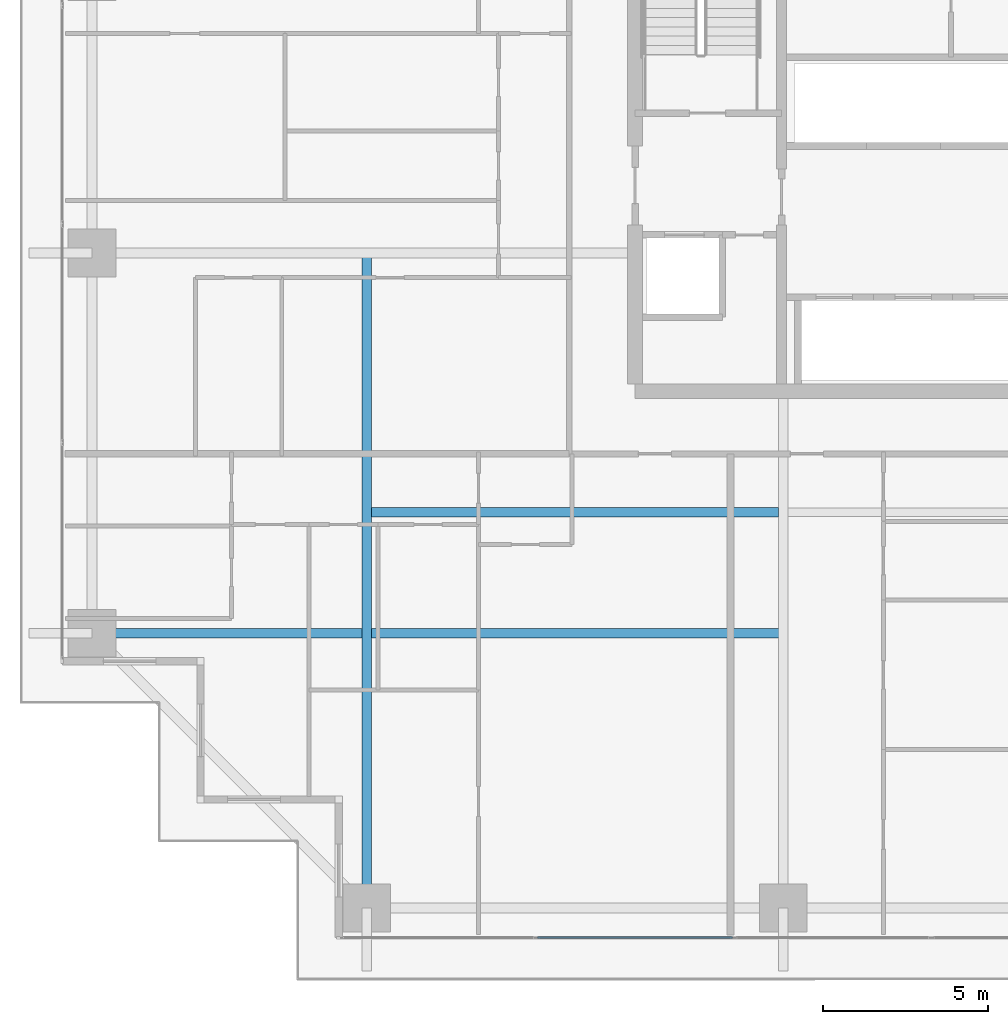
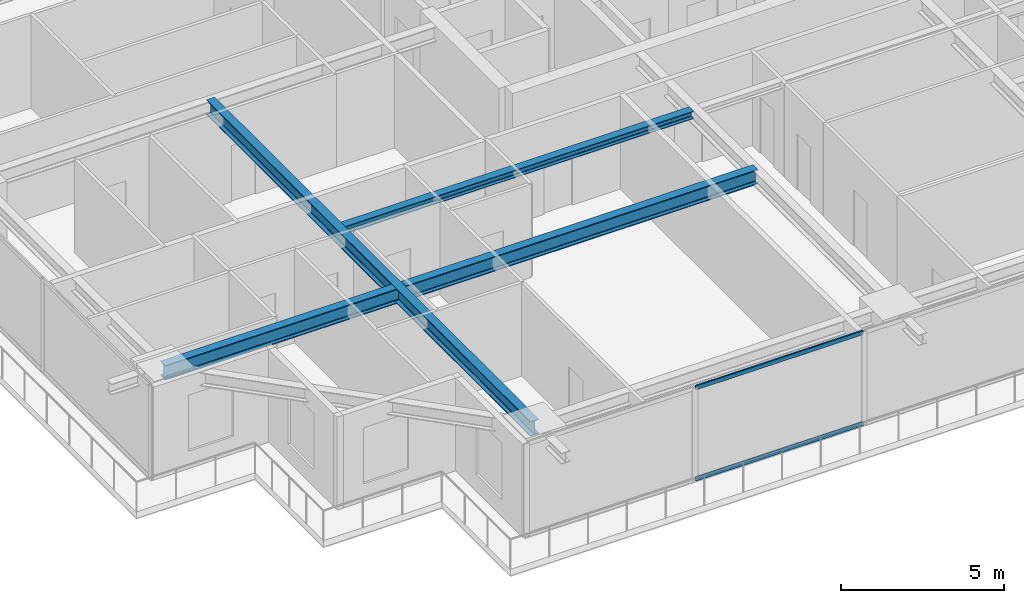
# One storey, part 4 of 37: 3 beams, 2 members, 1 element without a shape of its own.
"""IFC4 building model written with IfcOpenShell, lengths in metres."""

from ifc_helpers import new_model, si_unit, direction, frame, origin, origin_2d, place, context, subcontext, project, spatial, hollow_rectangle, i_section, extrude, source, transform, mapped, material, layer, layer_set, material_profile, profile_set, type_object, element, aggregate, save


model = new_model("IFC4")

# Units and contexts
model_context = context("Model", 3, precision=1e-05, world=origin(), true_north=direction((0.0, 1.0)))
body_context = subcontext(model_context, "Body", "Model", "MODEL_VIEW")
ifc_project = project(units=[si_unit("LENGTHUNIT", "METRE"), si_unit("AREAUNIT", "SQUARE_METRE"), si_unit("VOLUMEUNIT", "CUBIC_METRE"), si_unit("PLANEANGLEUNIT", "RADIAN"), si_unit("MASSUNIT", "GRAM", prefix="KILO")], contexts=[model_context])

# Site, building, storey
site_placement = place(None, origin())
site = spatial("IfcSite", under=ifc_project, at=site_placement, CompositionType="ELEMENT")
building_placement = place(site_placement, origin())
building = spatial("IfcBuilding", under=site, at=building_placement, Name="Serunith Strait Residences", CompositionType="ELEMENT")
storey_placement = place(building_placement, frame((0.0, 0.0, 26.699951171875)))
storey = spatial("IfcBuildingStorey", under=building, at=storey_placement, Name="L05", CompositionType="ELEMENT", Elevation=26.699951171875)

# Beams
ifc_material_1 = material(Name="Steel S355J2", Category="steel")
ifc_material_profile_1 = material_profile(ifc_material_1, i_section(OverallWidth=0.300048828125, OverallDepth=0.550048828125, WebThickness=0.014892578125, FlangeThickness=0.029052734375, FilletRadius=0.027099609375, at=origin_2d()), Name="HEB 550")
ifc_profile_set_1 = profile_set([ifc_material_profile_1], Name="Steel S355J2")
beam_type_1 = type_object("IfcBeamType", Name="BM-HEB550", PredefinedType="BEAM", material=ifc_profile_set_1)
shared_shape_1 = source(origin(), body_context, "Body", "SweptSolid", [
    extrude(i_section(OverallWidth=0.300048828125, OverallDepth=0.550048828125, WebThickness=0.014892578125, FlangeThickness=0.029052734375, FilletRadius=0.027099609375, at=origin_2d()), origin(), (0.0, 0.0, 1.0), 19.89990234375),
])
beam_1_placement = place(storey_placement, frame((15.25, 21.0, 3.212158203125), z_axis=(0.0, -1.0, 0.0), x_axis=(1.0, 0.0, 0.0)))
element("IfcBeam", 1, at=beam_1_placement, inside=storey, type_object=beam_type_1, Name="L05 Orthogonal Corner Girder TC-S1", PredefinedType="BEAM", context=body_context, shape_type="MappedRepresentation", body=[
    mapped(shared_shape_1, transform((0.0, 0.0, 0.0), scale=1.0)),
])
shared_shape_2 = source(origin(), body_context, "Body", "SweptSolid", [
    extrude(i_section(OverallWidth=0.300048828125, OverallDepth=0.550048828125, WebThickness=0.014892578125, FlangeThickness=0.029052734375, FilletRadius=0.027099609375, at=origin_2d()), origin(), (0.0, 0.0, 1.0), 21.0),
])
beam_2_placement = place(storey_placement, frame((27.89990234375, 9.449951171875, 3.212158203125), z_axis=(-1.0, 0.0, 0.0), x_axis=(0.0, -1.0, 0.0)))
element("IfcBeam", 2, at=beam_2_placement, inside=storey, type_object=beam_type_1, Name="L05 Orthogonal Corner Girder TC-W1", PredefinedType="BEAM", context=body_context, shape_type="MappedRepresentation", body=[
    mapped(shared_shape_2, transform((0.0, 0.0, 0.0), scale=1.0)),
])
ifc_material_profile_2 = material_profile(ifc_material_1, i_section(OverallWidth=0.280029296875, OverallDepth=0.280029296875, WebThickness=0.010498046875, FlangeThickness=0.01806640625, FilletRadius=0.02392578125, at=origin_2d()), Name="HEB 280")
ifc_profile_set_2 = profile_set([ifc_material_profile_2], Name="Steel S355J2")
beam_type_2 = type_object("IfcBeamType", Name="BM-HEB280", PredefinedType="JOIST", material=ifc_profile_set_2)
shared_shape_3 = source(origin(), body_context, "Body", "SweptSolid", [
    extrude(i_section(OverallWidth=0.280029296875, OverallDepth=0.280029296875, WebThickness=0.010498046875, FlangeThickness=0.01806640625, FilletRadius=0.02392578125, at=origin_2d()), origin(), (0.0, 0.0, 1.0), 12.35009765625),
])
beam_3_placement = place(storey_placement, frame((15.39990234375, 13.125, 3.34716796875), z_axis=(1.0, 0.0, 0.0), x_axis=(0.0, 1.0, 0.0)))
element("IfcBeam", 3, at=beam_3_placement, inside=storey, type_object=beam_type_2, Name="L05 Composite Floor Joist 01", PredefinedType="JOIST", context=body_context, shape_type="MappedRepresentation", body=[
    mapped(shared_shape_3, transform((0.0, 0.0, 0.0), scale=1.0)),
])

# Curtain wall, members
ifc_material_2 = material(Name="Pale-Champagne Anodised Aluminium", Category="aluminium")
ifc_layer = layer(ifc_material_2, 0.199951171875, Name="Pale-Champagne Anodised Aluminium")
ifc_layer_set = layer_set([ifc_layer], Name="Pale-Champagne Anodised Aluminium")
curtain_wall_type = type_object("IfcCurtainWallType", Name="CW-SYS1", PredefinedType="NOTDEFINED", material=ifc_layer_set)
curtain_wall_placement = place(storey_placement, origin())
curtain_wall = element("IfcCurtainWall", 4, at=curtain_wall_placement, inside=storey, type_object=curtain_wall_type, Name="L05 S Unitised Fritted Curtain Wall", PredefinedType="NOTDEFINED")
ifc_material_profile_3 = material_profile(ifc_material_2, hollow_rectangle(XDim=0.06005859375, YDim=0.159912109375, WallThickness=0.00341796875, InnerFilletRadius=0.00537109375, OuterFilletRadius=0.0087890625, at=origin_2d()), Name="ALU 160x60x3.5")
ifc_profile_set_3 = profile_set([ifc_material_profile_3], Name="Pale-Champagne Anodised Aluminium")
member_type = type_object("IfcMemberType", Name="CW-SYS1-TRAN", PredefinedType="USERDEFINED", material=ifc_profile_set_3)
shared_shape_4 = source(origin(), body_context, "Body", "SweptSolid", [
    extrude(hollow_rectangle(XDim=0.06005859375, YDim=0.159912109375, WallThickness=0.00341796875, InnerFilletRadius=0.00537109375, OuterFilletRadius=0.0087890625, at=origin_2d()), origin(), (0.0, 0.0, 1.0), 5.929931640625),
])
member_1_placement = place(storey_placement, frame((20.43505859375, 0.199951171875, 0.030029296875), z_axis=(1.0, 0.0, 0.0), x_axis=(0.0, 1.0, 0.0)))
member_1 = element("IfcMember", 5, at=member_1_placement, type_object=member_type, Name="CW-1 transom 2.1", ObjectType="TRANSOM", PredefinedType="USERDEFINED", context=body_context, shape_type="MappedRepresentation", body=[
    mapped(shared_shape_4, transform((0.0, 0.0, 0.0), scale=1.0)),
])
member_2_placement = place(storey_placement, frame((20.43505859375, 0.199951171875, 3.445068359375), z_axis=(1.0, 0.0, 0.0), x_axis=(0.0, 1.0, 0.0)))
member_2 = element("IfcMember", 6, at=member_2_placement, type_object=member_type, Name="CW-1 transom 2.2", ObjectType="TRANSOM", PredefinedType="USERDEFINED", context=body_context, shape_type="MappedRepresentation", body=[
    mapped(shared_shape_4, transform((0.0, 0.0, 0.0), scale=1.0)),
])
aggregate(curtain_wall, [member_1, member_2])

save(model, "model.ifc")
